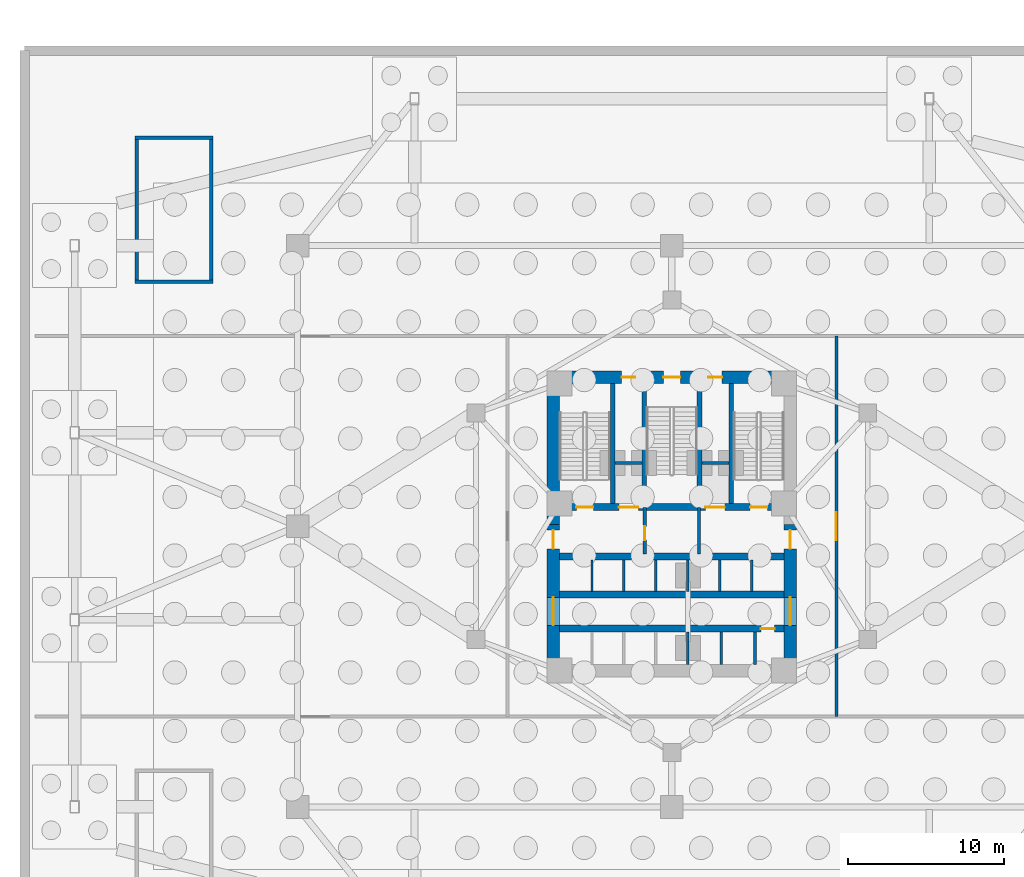
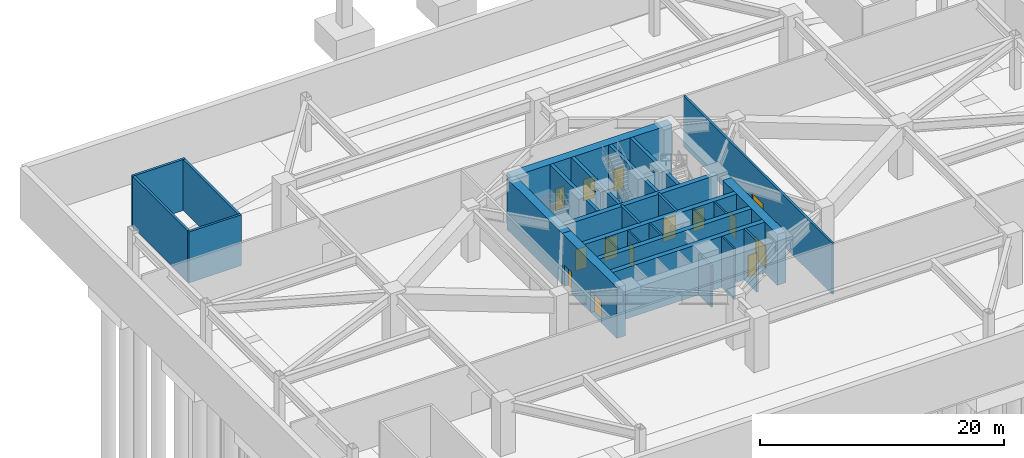
# One storey, part 5 of 8: 30 walls, 14 doors, 14 openings.
"""IFC4 building model written with IfcOpenShell, lengths in metres."""

from ifc_helpers import new_model, si_unit, direction, frame, frame_2d, origin, place, context, subcontext, project, spatial, rectangle, extrude, material, layer, layer_set, type_object, element, fill, save


model = new_model("IFC4")

# Units and contexts
model_context = context("Model", 3, precision=1e-05, world=origin(), true_north=direction((0.0, 1.0)))
body_context = subcontext(model_context, "Body", "Model", "MODEL_VIEW")
ifc_project = project(units=[si_unit("LENGTHUNIT", "METRE"), si_unit("AREAUNIT", "SQUARE_METRE"), si_unit("VOLUMEUNIT", "CUBIC_METRE"), si_unit("PLANEANGLEUNIT", "RADIAN"), si_unit("MASSUNIT", "GRAM", prefix="KILO")], contexts=[model_context])

# Site, building, storey
site_placement = place(None, origin())
site = spatial("IfcSite", under=ifc_project, at=site_placement, CompositionType="ELEMENT")
building_placement = place(site_placement, origin())
building = spatial("IfcBuilding", under=site, at=building_placement, Name="Apsidion Concourse Tower", CompositionType="ELEMENT")
storey_placement = place(building_placement, frame((0.0, 0.0, -5.39990234375)))
storey = spatial("IfcBuildingStorey", under=building, at=storey_placement, Name="B01", CompositionType="ELEMENT", Elevation=-5.39990234375)

# Walls
ifc_material_1 = material(Name="Gypsum plasterboard partition")
ifc_layer_1 = layer(ifc_material_1, 0.14990234375)
ifc_layer_set_1 = layer_set([ifc_layer_1], Name="Gypsum plasterboard partition")
wall_type_1 = type_object("IfcWallType", Name="WL-INT-PAR-150", PredefinedType="PARTITIONING", material=ifc_layer_set_1)
for number, where, z_axis, x_axis, name in (
    (1, (-5.125, -4.179931640625, 0.0), (0.0, 0.0, 1.0), (0.0, 1.0, 0.0), "B01 Interior Partition WL-B01-B1DIV-1"),
    (2, (-3.074951171875, -4.179931640625, 0.0), (0.0, 0.0, 1.0), (0.0, 1.0, 0.0), "B01 Interior Partition WL-B01-B1DIV-2"),
    (3, (-1.02490234375, -4.179931640625, 0.0), (0.0, 0.0, 1.0), (0.0, 1.0, 0.0), "B01 Interior Partition WL-B01-B1DIV-3"),
    (4, (3.074951171875, -4.179931640625, 0.0), (0.0, 0.0, 1.0), (0.0, 1.0, 0.0), "B01 Interior Partition WL-B01-B3DIV-1"),
    (5, (5.125, -4.179931640625, 0.0), (0.0, 0.0, 1.0), (0.0, 1.0, 0.0), "B01 Interior Partition WL-B01-B3DIV-2"),
):
    element("IfcWall", number, at=place(storey_placement, frame(where, z_axis=z_axis, x_axis=x_axis)), inside=storey, type_object=wall_type_1, Name=name, PredefinedType="PARTITIONING", context=body_context, shape_type="SweptSolid", body=[
        extrude(rectangle(XDim=2.030029296875, YDim=0.14990234375, at=frame_2d((1.01513671875, 0.0))), origin(), (0.0, 0.0, 1.0), 5.099853515625),
    ])
wall_1_placement = place(storey_placement, frame((3.175048828125, -8.85009765625, 0.0), z_axis=(0.0, 0.0, 1.0), x_axis=(0.0, 1.0, 0.0)))
element("IfcWall", 6, at=wall_1_placement, inside=storey, type_object=wall_type_1, Name="B01 Interior Partition WL-B01-SHDIV-1", PredefinedType="PARTITIONING", context=body_context, shape_type="SweptSolid", body=[
    extrude(rectangle(XDim=2.080078125, YDim=0.14990234375, at=frame_2d((1.0400390625, 0.0))), origin(), (0.0, 0.0, 1.0), 5.099853515625),
])
ifc_layer_2 = layer(ifc_material_1, 0.179931640625)
ifc_layer_set_2 = layer_set([ifc_layer_2], Name="Gypsum plasterboard partition")
wall_type_2 = type_object("IfcWallType", Name="WL-INT-PAR-180", PredefinedType="PARTITIONING", material=ifc_layer_set_2)
wall_2_placement = place(storey_placement, frame((1.02490234375, -4.179931640625, 0.0), z_axis=(0.0, 0.0, 1.0), x_axis=(0.0, 1.0, 0.0)))
element("IfcWall", 7, at=wall_2_placement, inside=storey, type_object=wall_type_2, Name="B01 Interior Partition WL-B01-B1END", PredefinedType="PARTITIONING", context=body_context, shape_type="SweptSolid", body=[
    extrude(rectangle(XDim=2.030029296875, YDim=0.179931640625, at=frame_2d((1.01513671875, 0.0))), origin(), (0.0, 0.0, 1.0), 4.14794921875),
])
wall_3_placement = place(storey_placement, frame((1.02490234375, -8.85009765625, 0.0), z_axis=(0.0, 0.0, 1.0), x_axis=(0.0, 1.0, 0.0)))
element("IfcWall", 8, at=wall_3_placement, inside=storey, type_object=wall_type_2, Name="B01 Interior Partition WL-B01-B2END", PredefinedType="PARTITIONING", context=body_context, shape_type="SweptSolid", body=[
    extrude(rectangle(XDim=2.080078125, YDim=0.179931640625, at=frame_2d((1.0400390625, 0.0))), origin(), (0.0, 0.0, 1.0), 4.14794921875),
])
wall_4_placement = place(storey_placement, frame((5.324951171875, -8.85009765625, 0.0), z_axis=(0.0, 0.0, 1.0), x_axis=(0.0, 1.0, 0.0)))
element("IfcWall", 9, at=wall_4_placement, inside=storey, type_object=wall_type_2, Name="B01 Interior Partition WL-B01-SHDIV-2", PredefinedType="PARTITIONING", context=body_context, shape_type="SweptSolid", body=[
    extrude(rectangle(XDim=2.080078125, YDim=0.179931640625, at=frame_2d((1.0400390625, 0.0))), origin(), (0.0, 0.0, 1.0), 5.099853515625),
])
ifc_layer_3 = layer(ifc_material_1, 0.199951171875)
ifc_layer_set_3 = layer_set([ifc_layer_3], Name="Gypsum plasterboard partition")
wall_type_3 = type_object("IfcWallType", Name="WL-INT-PAR-200", PredefinedType="PARTITIONING", material=ifc_layer_set_3)
for number, where, z_axis, x_axis, name in (
    (10, (-3.64990234375, 4.050048828125, 0.0), (0.0, 0.0, 1.0), (1.0, 0.0, 0.0), "B01 Interior Partition WL-B01-FF1-N"),
    (11, (1.919921875, 4.050048828125, 0.0), (0.0, 0.0, 1.0), (1.0, 0.0, 0.0), "B01 Interior Partition WL-B01-FF2-N"),
):
    element("IfcWall", number, at=place(storey_placement, frame(where, z_axis=z_axis, x_axis=x_axis)), inside=storey, type_object=wall_type_3, Name=name, PredefinedType="PARTITIONING", context=body_context, shape_type="SweptSolid", body=[
        extrude(rectangle(XDim=1.72998046875, YDim=0.199951171875, at=frame_2d((0.864990234375, 0.0))), origin(), (0.0, 0.0, 1.0), 5.099853515625),
    ])

# Wall, opening, door
wall_5_placement = place(storey_placement, frame((-1.739990234375, -1.780029296875, 0.0), z_axis=(0.0, 0.0, 1.0), x_axis=(0.0, 1.0, 0.0)))
wall_5 = element("IfcWall", 12, at=wall_5_placement, inside=storey, type_object=wall_type_3, Name="B01 Interior Partition WL-B01-FF1-E", PredefinedType="PARTITIONING", context=body_context, shape_type="SweptSolid", body=[
    extrude(rectangle(XDim=2.97998046875, YDim=0.199951171875, at=frame_2d((1.489990234375, 0.0))), origin(), (0.0, 0.0, 1.0), 5.099853515625),
])
opening_1_placement = place(wall_5_placement, frame((0.889892578125, 0.0, 0.0)))
opening_1 = element("IfcOpeningElement", 13, at=opening_1_placement, cuts=wall_5, Name="Opening D-05R", PredefinedType="OPENING", context=body_context, shape_type="SweptSolid", body=[
    extrude(rectangle(XDim=0.8798828125, YDim=2.14990234375, at=frame_2d((0.43994140625, 1.074951171875))), frame((0.0, 0.10986328125, 0.0), z_axis=(0.0, -1.0, 0.0), x_axis=(1.0, 0.0, 0.0)), (0.0, 0.0, 1.0), 0.219970703125),
])
ifc_material_2 = material(Name="Brushed stainless steel 316", Category="steel")
door_type_1 = type_object("IfcDoorType", Name="DR-INT-D05R", OperationType="SINGLE_SWING_RIGHT", PredefinedType="DOOR", material=ifc_material_2)
door_1_placement = place(opening_1_placement, origin())
door_1 = element("IfcDoor", 14, at=door_1_placement, inside=storey, type_object=door_type_1, Name="B01 Core BMS Door", OperationType="SINGLE_SWING_RIGHT", OverallHeight=2.14990234375, OverallWidth=0.8798828125, PredefinedType="DOOR", context=body_context, shape_type="SweptSolid", body=[
    extrude(rectangle(XDim=0.8798828125, YDim=2.14990234375, at=frame_2d((0.43994140625, 1.074951171875))), frame((0.0, 0.02490234375, 0.0), z_axis=(0.0, -1.0, 0.0), x_axis=(1.0, 0.0, 0.0)), (0.0, 0.0, 1.0), 0.050048828125),
])
fill(opening_1, door_1)

# Wall
wall_6_placement = place(storey_placement, frame((1.739990234375, -1.780029296875, 0.0), z_axis=(0.0, 0.0, 1.0), x_axis=(0.0, 1.0, 0.0)))
element("IfcWall", 15, at=wall_6_placement, inside=storey, type_object=wall_type_3, Name="B01 Interior Partition WL-B01-FF2-W", PredefinedType="PARTITIONING", context=body_context, shape_type="SweptSolid", body=[
    extrude(rectangle(XDim=2.97998046875, YDim=0.199951171875, at=frame_2d((1.489990234375, 0.0))), origin(), (0.0, 0.0, 1.0), 5.099853515625),
])

# Wall, opening, door
wall_7_placement = place(storey_placement, frame((10.550048828125, -12.199951171875, 0.0), z_axis=(0.0, 0.0, 1.0), x_axis=(0.0, 1.0, 0.0)))
wall_7 = element("IfcWall", 16, at=wall_7_placement, inside=storey, type_object=wall_type_3, Name="B01 Interior Partition WL-B01-E", PredefinedType="PARTITIONING", context=body_context, shape_type="SweptSolid", body=[
    extrude(rectangle(XDim=24.39990234375, YDim=0.199951171875, at=frame_2d((12.199951171875, 0.0))), origin(), (0.0, 0.0, 1.0), 5.099853515625),
])
opening_2_placement = place(wall_7_placement, frame((11.300048828125, 0.0, 0.0)))
opening_2 = element("IfcOpeningElement", 17, at=opening_2_placement, cuts=wall_7, Name="Opening D-06D", PredefinedType="OPENING", context=body_context, shape_type="SweptSolid", body=[
    extrude(rectangle(XDim=1.800048828125, YDim=2.199951171875, at=frame_2d((0.89990234375, 1.10009765625))), frame((0.0, 0.10986328125, 0.0), z_axis=(0.0, -1.0, 0.0), x_axis=(1.0, 0.0, 0.0)), (0.0, 0.0, 1.0), 0.219970703125),
])
door_type_2 = type_object("IfcDoorType", Name="DR-INT-D06D", OperationType="DOUBLE_DOOR_SINGLE_SWING", PredefinedType="DOOR", material=ifc_material_2)
door_2_placement = place(opening_2_placement, origin())
door_2 = element("IfcDoor", 18, at=door_2_placement, inside=storey, type_object=door_type_2, Name="B01 Plant Door WL-B01-E", OperationType="DOUBLE_DOOR_SINGLE_SWING", OverallHeight=2.199951171875, OverallWidth=1.800048828125, PredefinedType="DOOR", context=body_context, shape_type="SweptSolid", body=[
    extrude(rectangle(XDim=1.800048828125, YDim=2.199951171875, at=frame_2d((0.89990234375, 1.10009765625))), frame((0.0, 0.02490234375, 0.0), z_axis=(0.0, -1.0, 0.0), x_axis=(1.0, 0.0, 0.0)), (0.0, 0.0, 1.0), 0.050048828125),
])
fill(opening_2, door_2)

# Walls
ifc_material_3 = material(Name="Concrete C50/60", Category="concrete")
ifc_layer_4 = layer(ifc_material_3, 0.219970703125)
ifc_layer_set_4 = layer_set([ifc_layer_4], Name="Concrete C50/60")
wall_type_4 = type_object("IfcWallType", Name="WL-SH-220", PredefinedType="SHEAR", material=ifc_layer_set_4)
for number, where, z_axis, x_axis, name in (
    (19, (-34.419921875, 15.68994140625, 0.0), (0.0, 0.0, 1.0), (1.0, 0.0, 0.0), "B01 Podium Stair ST-P3 Core Shear Wall S"),
    (20, (-34.419921875, 24.909912109375, 0.0), (0.0, 0.0, 1.0), (1.0, 0.0, 0.0), "B01 Podium Stair ST-P3 Core Shear Wall N"),
):
    element("IfcWall", number, at=place(storey_placement, frame(where, z_axis=z_axis, x_axis=x_axis)), inside=storey, type_object=wall_type_4, Name=name, PredefinedType="SHEAR", context=body_context, shape_type="SweptSolid", body=[
        extrude(rectangle(XDim=4.989990234375, YDim=0.219970703125, at=frame_2d((2.4951171875, 0.0))), origin(), (0.0, 0.0, 1.0), 5.099853515625),
    ])
for number, where, z_axis, x_axis, name in (
    (21, (-34.31005859375, 15.800048828125, 0.0), (0.0, 0.0, 1.0), (0.0, 1.0, 0.0), "B01 Podium Stair ST-P3 Core Shear Wall W"),
    (22, (-29.5400390625, 15.800048828125, 0.0), (0.0, 0.0, 1.0), (0.0, 1.0, 0.0), "B01 Podium Stair ST-P3 Core Shear Wall E"),
):
    element("IfcWall", number, at=place(storey_placement, frame(where, z_axis=z_axis, x_axis=x_axis)), inside=storey, type_object=wall_type_4, Name=name, PredefinedType="SHEAR", context=body_context, shape_type="SweptSolid", body=[
        extrude(rectangle(XDim=9.0, YDim=0.219970703125, at=frame_2d((4.5, 0.0))), origin(), (0.0, 0.0, 1.0), 5.099853515625),
    ])
ifc_layer_5 = layer(ifc_material_3, 0.300048828125)
ifc_layer_set_5 = layer_set([ifc_layer_5], Name="Concrete C50/60")
wall_type_5 = type_object("IfcWallType", Name="WL-SH-300", PredefinedType="SHEAR", material=ifc_layer_set_5)
for number, where, z_axis, x_axis, name in (
    (23, (-3.800048828125, 1.449951171875, 0.0), (0.0, 0.0, 1.0), (0.0, 1.0, 0.0), "B01 Central Core Shear Wall V1"),
    (24, (-1.77490234375, 1.449951171875, 0.0), (0.0, 0.0, 1.0), (0.0, 1.0, 0.0), "B01 Central Core Shear Wall V2"),
    (25, (1.77490234375, 1.449951171875, 0.0), (0.0, 0.0, 1.0), (0.0, 1.0, 0.0), "B01 Central Core Shear Wall V3"),
    (26, (3.800048828125, 1.449951171875, 0.0), (0.0, 0.0, 1.0), (0.0, 1.0, 0.0), "B01 Central Core Shear Wall V4"),
):
    element("IfcWall", number, at=place(storey_placement, frame(where, z_axis=z_axis, x_axis=x_axis)), inside=storey, type_object=wall_type_5, Name=name, PredefinedType="SHEAR", context=body_context, shape_type="SweptSolid", body=[
        extrude(rectangle(XDim=7.699951171875, YDim=0.300048828125, at=frame_2d((3.85009765625, 0.0))), origin(), (0.0, 0.0, 1.0), 5.099853515625),
    ])

# Wall, openings, doors
ifc_material_4 = material(Name="Concrete C60/75", Category="concrete")
ifc_layer_6 = layer(ifc_material_4, 0.449951171875)
ifc_layer_set_6 = layer_set([ifc_layer_6], Name="Concrete C60/75")
wall_type_6 = type_object("IfcWallType", Name="WL-SH-450", PredefinedType="SHEAR", material=ifc_layer_set_6)
wall_8_placement = place(storey_placement, frame((-7.199951171875, 1.22509765625, 0.0), z_axis=(0.0, 0.0, 1.0), x_axis=(1.0, 0.0, 0.0)))
wall_8 = element("IfcWall", 27, at=wall_8_placement, inside=storey, type_object=wall_type_6, Name="B01 Central Core Shear Wall M1", PredefinedType="SHEAR", context=body_context, shape_type="SweptSolid", body=[
    extrude(rectangle(XDim=14.39990234375, YDim=0.449951171875, at=frame_2d((7.199951171875, 0.0))), origin(), (0.0, 0.0, 1.0), 5.099853515625),
])
opening_3_placement = place(wall_8_placement, frame((3.794921875, 0.0, 0.0)))
opening_3 = element("IfcOpeningElement", 28, at=opening_3_placement, cuts=wall_8, Name="Opening LD-FF", PredefinedType="OPENING", context=body_context, shape_type="SweptSolid", body=[
    extrude(rectangle(XDim=1.25, YDim=2.25, at=frame_2d((0.625, 1.125))), frame((0.0, 0.23486328125, 0.0), z_axis=(0.0, -1.0, 0.0), x_axis=(1.0, 0.0, 0.0)), (0.0, 0.0, 1.0), 0.469970703125),
])
opening_4_placement = place(wall_8_placement, frame((9.35498046875, 0.0, 0.0)))
opening_4 = element("IfcOpeningElement", 29, at=opening_4_placement, cuts=wall_8, Name="Opening LD-FF", PredefinedType="OPENING", context=body_context, shape_type="SweptSolid", body=[
    extrude(rectangle(XDim=1.25, YDim=2.25, at=frame_2d((0.625, 1.125))), frame((0.0, 0.23486328125, 0.0), z_axis=(0.0, -1.0, 0.0), x_axis=(1.0, 0.0, 0.0)), (0.0, 0.0, 1.0), 0.469970703125),
])
opening_5_placement = place(wall_8_placement, frame((1.074951171875, 0.0, 0.0)))
opening_5 = element("IfcOpeningElement", 30, at=opening_5_placement, cuts=wall_8, Name="Opening D-STL", PredefinedType="OPENING", context=body_context, shape_type="SweptSolid", body=[
    extrude(rectangle(XDim=1.10009765625, YDim=2.14990234375, at=frame_2d((0.550048828125, 1.074951171875))), frame((0.0, 0.23486328125, 0.0), z_axis=(0.0, -1.0, 0.0), x_axis=(1.0, 0.0, 0.0)), (0.0, 0.0, 1.0), 0.469970703125),
])
opening_6_placement = place(wall_8_placement, frame((12.22509765625, 0.0, 0.0)))
opening_6 = element("IfcOpeningElement", 31, at=opening_6_placement, cuts=wall_8, Name="Opening D-STR", PredefinedType="OPENING", context=body_context, shape_type="SweptSolid", body=[
    extrude(rectangle(XDim=1.10009765625, YDim=2.14990234375, at=frame_2d((0.550048828125, 1.074951171875))), frame((0.0, 0.23486328125, 0.0), z_axis=(0.0, -1.0, 0.0), x_axis=(1.0, 0.0, 0.0)), (0.0, 0.0, 1.0), 0.469970703125),
])
door_type_3 = type_object("IfcDoorType", Name="DR-INT-ST1L", OperationType="SINGLE_SWING_LEFT", PredefinedType="DOOR", material=ifc_material_2)
door_3_placement = place(opening_5_placement, origin())
door_3 = element("IfcDoor", 32, at=door_3_placement, inside=storey, type_object=door_type_3, Name="B01 Core Exit Stair ST1 Door", OperationType="SINGLE_SWING_LEFT", OverallHeight=2.14990234375, OverallWidth=1.10009765625, PredefinedType="DOOR", context=body_context, shape_type="SweptSolid", body=[
    extrude(rectangle(XDim=1.10009765625, YDim=2.14990234375, at=frame_2d((0.550048828125, 1.074951171875))), frame((0.0, 0.02490234375, 0.0), z_axis=(0.0, -1.0, 0.0), x_axis=(1.0, 0.0, 0.0)), (0.0, 0.0, 1.0), 0.050048828125),
])
fill(opening_5, door_3)
door_type_4 = type_object("IfcDoorType", Name="DR-INT-ST1R", OperationType="SINGLE_SWING_RIGHT", PredefinedType="DOOR", material=ifc_material_2)
door_4_placement = place(opening_6_placement, origin())
door_4 = element("IfcDoor", 33, at=door_4_placement, inside=storey, type_object=door_type_4, Name="B01 Core Exit Stair ST2 Door", OperationType="SINGLE_SWING_RIGHT", OverallHeight=2.14990234375, OverallWidth=1.10009765625, PredefinedType="DOOR", context=body_context, shape_type="SweptSolid", body=[
    extrude(rectangle(XDim=1.10009765625, YDim=2.14990234375, at=frame_2d((0.550048828125, 1.074951171875))), frame((0.0, 0.02490234375, 0.0), z_axis=(0.0, -1.0, 0.0), x_axis=(1.0, 0.0, 0.0)), (0.0, 0.0, 1.0), 0.050048828125),
])
fill(opening_6, door_4)
door_type_5 = type_object("IfcDoorType", Name="DR-LD-FSAE", OperationType="DOUBLE_DOOR_SLIDING", PredefinedType="DOOR", material=ifc_material_2)
door_5_placement = place(opening_3_placement, origin())
door_5 = element("IfcDoor", 34, at=door_5_placement, inside=storey, type_object=door_type_5, Name="B01 Lift Landing Door FF1", OperationType="DOUBLE_DOOR_SLIDING", OverallHeight=2.25, OverallWidth=1.25, PredefinedType="DOOR", context=body_context, shape_type="SweptSolid", body=[
    extrude(rectangle(XDim=1.25, YDim=2.25, at=frame_2d((0.625, 1.125))), frame((0.0, 0.02490234375, 0.0), z_axis=(0.0, -1.0, 0.0), x_axis=(1.0, 0.0, 0.0)), (0.0, 0.0, 1.0), 0.050048828125),
])
fill(opening_3, door_5)
door_6_placement = place(opening_4_placement, origin())
door_6 = element("IfcDoor", 35, at=door_6_placement, inside=storey, type_object=door_type_5, Name="B01 Lift Landing Door FF2", OperationType="DOUBLE_DOOR_SLIDING", OverallHeight=2.25, OverallWidth=1.25, PredefinedType="DOOR", context=body_context, shape_type="SweptSolid", body=[
    extrude(rectangle(XDim=1.25, YDim=2.25, at=frame_2d((0.625, 1.125))), frame((0.0, 0.02490234375, 0.0), z_axis=(0.0, -1.0, 0.0), x_axis=(1.0, 0.0, 0.0)), (0.0, 0.0, 1.0), 0.050048828125),
])
fill(opening_4, door_6)

# Walls
for number, where, z_axis, x_axis, name in (
    (36, (-7.199951171875, -1.949951171875, 0.0), (0.0, 0.0, 1.0), (1.0, 0.0, 0.0), "B01 Central Core Shear Wall M2"),
    (37, (-7.199951171875, -4.3798828125, 0.0), (0.0, 0.0, 1.0), (1.0, 0.0, 0.0), "B01 Central Core Shear Wall LA"),
):
    element("IfcWall", number, at=place(storey_placement, frame(where, z_axis=z_axis, x_axis=x_axis)), inside=storey, type_object=wall_type_6, Name=name, PredefinedType="SHEAR", context=body_context, shape_type="SweptSolid", body=[
        extrude(rectangle(XDim=14.39990234375, YDim=0.449951171875, at=frame_2d((7.199951171875, 0.0))), origin(), (0.0, 0.0, 1.0), 5.099853515625),
    ])

# Wall, opening, door
wall_9_placement = place(storey_placement, frame((-7.199951171875, -6.570068359375, 0.0), z_axis=(0.0, 0.0, 1.0), x_axis=(1.0, 0.0, 0.0)))
wall_9 = element("IfcWall", 38, at=wall_9_placement, inside=storey, type_object=wall_type_6, Name="B01 Central Core Shear Wall LB", PredefinedType="SHEAR", context=body_context, shape_type="SweptSolid", body=[
    extrude(rectangle(XDim=14.39990234375, YDim=0.449951171875, at=frame_2d((7.199951171875, 0.0))), origin(), (0.0, 0.0, 1.0), 5.099853515625),
])
opening_7_placement = place(wall_9_placement, frame((12.909912109375, 0.0, 0.0)))
opening_7 = element("IfcOpeningElement", 39, at=opening_7_placement, cuts=wall_9, Name="Opening D-05L", PredefinedType="OPENING", context=body_context, shape_type="SweptSolid", body=[
    extrude(rectangle(XDim=0.8798828125, YDim=2.14990234375, at=frame_2d((0.43994140625, 1.074951171875))), frame((0.0, 0.23486328125, 0.0), z_axis=(0.0, -1.0, 0.0), x_axis=(1.0, 0.0, 0.0)), (0.0, 0.0, 1.0), 0.469970703125),
])
door_type_6 = type_object("IfcDoorType", Name="DR-INT-D05L", OperationType="SINGLE_SWING_LEFT", PredefinedType="DOOR", material=ifc_material_2)
door_7_placement = place(opening_7_placement, origin())
door_7 = element("IfcDoor", 40, at=door_7_placement, inside=storey, type_object=door_type_6, Name="B01 Cleaners Store Door", OperationType="SINGLE_SWING_LEFT", OverallHeight=2.14990234375, OverallWidth=0.8798828125, PredefinedType="DOOR", context=body_context, shape_type="SweptSolid", body=[
    extrude(rectangle(XDim=0.8798828125, YDim=2.14990234375, at=frame_2d((0.43994140625, 1.074951171875))), frame((0.0, 0.02490234375, 0.0), z_axis=(0.0, -1.0, 0.0), x_axis=(1.0, 0.0, 0.0)), (0.0, 0.0, 1.0), 0.050048828125),
])
fill(opening_7, door_7)

# Wall, openings, doors
ifc_layer_7 = layer(ifc_material_4, 0.800048828125)
ifc_layer_set_7 = layer_set([ifc_layer_7], Name="Concrete C60/75")
wall_type_7 = type_object("IfcWallType", Name="WL-SH-800", PredefinedType="SHEAR", material=ifc_layer_set_7)
wall_10_placement = place(storey_placement, frame((-7.60009765625, 9.550048828125, 0.0), z_axis=(0.0, 0.0, 1.0), x_axis=(1.0, 0.0, 0.0)))
wall_10 = element("IfcWall", 41, at=wall_10_placement, inside=storey, type_object=wall_type_7, Name="B01 Central Core Shear Wall N", PredefinedType="SHEAR", context=body_context, shape_type="SweptSolid", body=[
    extrude(rectangle(XDim=15.2001953125, YDim=0.800048828125, at=frame_2d((7.60009765625, 0.0))), origin(), (0.0, 0.0, 1.0), 5.099853515625),
])
opening_8_placement = place(wall_10_placement, frame((7.050048828125, 0.0, 0.0)))
opening_8 = element("IfcOpeningElement", 42, at=opening_8_placement, cuts=wall_10, Name="Opening D-STL", PredefinedType="OPENING", context=body_context, shape_type="SweptSolid", body=[
    extrude(rectangle(XDim=1.10009765625, YDim=2.14990234375, at=frame_2d((0.550048828125, 1.074951171875))), frame((0.0, 0.41015625, 0.0), z_axis=(0.0, -1.0, 0.0), x_axis=(1.0, 0.0, 0.0)), (0.0, 0.0, 1.0), 0.820068359375),
])
opening_9_placement = place(wall_10_placement, frame((4.3798828125, 0.0, 0.0)))
opening_9 = element("IfcOpeningElement", 43, at=opening_9_placement, cuts=wall_10, Name="Opening D-05L", PredefinedType="OPENING", context=body_context, shape_type="SweptSolid", body=[
    extrude(rectangle(XDim=0.8798828125, YDim=2.14990234375, at=frame_2d((0.43994140625, 1.074951171875))), frame((0.0, 0.41015625, 0.0), z_axis=(0.0, -1.0, 0.0), x_axis=(1.0, 0.0, 0.0)), (0.0, 0.0, 1.0), 0.820068359375),
])
opening_10_placement = place(wall_10_placement, frame((9.93994140625, 0.0, 0.0)))
opening_10 = element("IfcOpeningElement", 44, at=opening_10_placement, cuts=wall_10, Name="Opening D-05R", PredefinedType="OPENING", context=body_context, shape_type="SweptSolid", body=[
    extrude(rectangle(XDim=0.8798828125, YDim=2.14990234375, at=frame_2d((0.43994140625, 1.074951171875))), frame((0.0, 0.41015625, 0.0), z_axis=(0.0, -1.0, 0.0), x_axis=(1.0, 0.0, 0.0)), (0.0, 0.0, 1.0), 0.820068359375),
])
door_8_placement = place(opening_9_placement, origin())
door_8 = element("IfcDoor", 45, at=door_8_placement, inside=storey, type_object=door_type_6, Name="B01 Electrical Riser Shaft Access Door", OperationType="SINGLE_SWING_LEFT", OverallHeight=2.14990234375, OverallWidth=0.8798828125, PredefinedType="DOOR", context=body_context, shape_type="SweptSolid", body=[
    extrude(rectangle(XDim=0.8798828125, YDim=2.14990234375, at=frame_2d((0.43994140625, 1.074951171875))), frame((0.0, 0.02490234375, 0.0), z_axis=(0.0, -1.0, 0.0), x_axis=(1.0, 0.0, 0.0)), (0.0, 0.0, 1.0), 0.050048828125),
])
fill(opening_9, door_8)
door_9_placement = place(opening_10_placement, origin())
door_9 = element("IfcDoor", 46, at=door_9_placement, inside=storey, type_object=door_type_1, Name="B01 Mechanical Riser Shaft Access Door", OperationType="SINGLE_SWING_RIGHT", OverallHeight=2.14990234375, OverallWidth=0.8798828125, PredefinedType="DOOR", context=body_context, shape_type="SweptSolid", body=[
    extrude(rectangle(XDim=0.8798828125, YDim=2.14990234375, at=frame_2d((0.43994140625, 1.074951171875))), frame((0.0, 0.02490234375, 0.0), z_axis=(0.0, -1.0, 0.0), x_axis=(1.0, 0.0, 0.0)), (0.0, 0.0, 1.0), 0.050048828125),
])
fill(opening_10, door_9)
door_10_placement = place(opening_8_placement, origin())
door_10 = element("IfcDoor", 47, at=door_10_placement, inside=storey, type_object=door_type_3, Name="B01 Core Exit Stair ST3 Door", OperationType="SINGLE_SWING_LEFT", OverallHeight=2.14990234375, OverallWidth=1.10009765625, PredefinedType="DOOR", context=body_context, shape_type="SweptSolid", body=[
    extrude(rectangle(XDim=1.10009765625, YDim=2.14990234375, at=frame_2d((0.550048828125, 1.074951171875))), frame((0.0, 0.02490234375, 0.0), z_axis=(0.0, -1.0, 0.0), x_axis=(1.0, 0.0, 0.0)), (0.0, 0.0, 1.0), 0.050048828125),
])
fill(opening_8, door_10)

# Wall
wall_11_placement = place(storey_placement, frame((-7.60009765625, 0.10009765625, 0.0), z_axis=(0.0, 0.0, 1.0), x_axis=(0.0, 1.0, 0.0)))
element("IfcWall", 48, at=wall_11_placement, inside=storey, type_object=wall_type_7, Name="B01 Central Core Shear Wall WN", PredefinedType="SHEAR", context=body_context, shape_type="SweptSolid", body=[
    extrude(rectangle(XDim=9.0498046875, YDim=0.800048828125, at=frame_2d((4.52490234375, 0.0))), origin(), (0.0, 0.0, 1.0), 5.099853515625),
])

# Wall, openings, doors
wall_12_placement = place(storey_placement, frame((-7.60009765625, -8.85009765625, 0.0), z_axis=(0.0, 0.0, 1.0), x_axis=(0.0, 1.0, 0.0)))
wall_12 = element("IfcWall", 49, at=wall_12_placement, inside=storey, type_object=wall_type_7, Name="B01 Central Core Shear Wall WS", PredefinedType="SHEAR", context=body_context, shape_type="SweptSolid", body=[
    extrude(rectangle(XDim=8.9501953125, YDim=0.800048828125, at=frame_2d((4.47509765625, 0.0))), origin(), (0.0, 0.0, 1.0), 5.099853515625),
])
opening_11_placement = place(wall_12_placement, frame((2.489990234375, 0.0, 0.0)))
opening_11 = element("IfcOpeningElement", 50, at=opening_11_placement, cuts=wall_12, Name="Opening D-06D", PredefinedType="OPENING", context=body_context, shape_type="SweptSolid", body=[
    extrude(rectangle(XDim=1.800048828125, YDim=2.199951171875, at=frame_2d((0.89990234375, 1.10009765625))), frame((0.0, 0.41015625, 0.0), z_axis=(0.0, -1.0, 0.0), x_axis=(1.0, 0.0, 0.0)), (0.0, 0.0, 1.0), 0.820068359375),
])
opening_12_placement = place(wall_12_placement, frame((7.39990234375, 0.0, 0.0)))
opening_12 = element("IfcOpeningElement", 51, at=opening_12_placement, cuts=wall_12, Name="Opening D-FFL", PredefinedType="OPENING", context=body_context, shape_type="SweptSolid", body=[
    extrude(rectangle(XDim=1.199951171875, YDim=2.14990234375, at=frame_2d((0.60009765625, 1.074951171875))), frame((0.0, 0.41015625, 0.0), z_axis=(0.0, -1.0, 0.0), x_axis=(1.0, 0.0, 0.0)), (0.0, 0.0, 1.0), 0.820068359375),
])
door_11_placement = place(opening_11_placement, origin())
door_11 = element("IfcDoor", 52, at=door_11_placement, inside=storey, type_object=door_type_2, Name="B01 Passenger Lift Lobby WS Portal Door", OperationType="DOUBLE_DOOR_SINGLE_SWING", OverallHeight=2.199951171875, OverallWidth=1.800048828125, PredefinedType="DOOR", context=body_context, shape_type="SweptSolid", body=[
    extrude(rectangle(XDim=1.800048828125, YDim=2.199951171875, at=frame_2d((0.89990234375, 1.10009765625))), frame((0.0, 0.02490234375, 0.0), z_axis=(0.0, -1.0, 0.0), x_axis=(1.0, 0.0, 0.0)), (0.0, 0.0, 1.0), 0.050048828125),
])
fill(opening_11, door_11)
door_type_7 = type_object("IfcDoorType", Name="DR-INT-FFL", OperationType="SINGLE_SWING_LEFT", PredefinedType="DOOR", material=ifc_material_2)
door_12_placement = place(opening_12_placement, origin())
door_12 = element("IfcDoor", 53, at=door_12_placement, inside=storey, type_object=door_type_7, Name="B01 Firefighting Lift Lobby FF1 Door", OperationType="SINGLE_SWING_LEFT", OverallHeight=2.14990234375, OverallWidth=1.199951171875, PredefinedType="DOOR", context=body_context, shape_type="SweptSolid", body=[
    extrude(rectangle(XDim=1.199951171875, YDim=2.14990234375, at=frame_2d((0.60009765625, 1.074951171875))), frame((0.0, 0.02490234375, 0.0), z_axis=(0.0, -1.0, 0.0), x_axis=(1.0, 0.0, 0.0)), (0.0, 0.0, 1.0), 0.050048828125),
])
fill(opening_12, door_12)

wall_13_placement = place(storey_placement, frame((7.60009765625, -8.85009765625, 0.0), z_axis=(0.0, 0.0, 1.0), x_axis=(0.0, 1.0, 0.0)))
wall_13 = element("IfcWall", 54, at=wall_13_placement, inside=storey, type_object=wall_type_7, Name="B01 Central Core Shear Wall ES", PredefinedType="SHEAR", context=body_context, shape_type="SweptSolid", body=[
    extrude(rectangle(XDim=8.9501953125, YDim=0.800048828125, at=frame_2d((4.47509765625, 0.0))), origin(), (0.0, 0.0, 1.0), 5.099853515625),
])
opening_13_placement = place(wall_13_placement, frame((2.489990234375, 0.0, 0.0)))
opening_13 = element("IfcOpeningElement", 55, at=opening_13_placement, cuts=wall_13, Name="Opening D-06D", PredefinedType="OPENING", context=body_context, shape_type="SweptSolid", body=[
    extrude(rectangle(XDim=1.800048828125, YDim=2.199951171875, at=frame_2d((0.89990234375, 1.10009765625))), frame((0.0, 0.41015625, 0.0), z_axis=(0.0, -1.0, 0.0), x_axis=(1.0, 0.0, 0.0)), (0.0, 0.0, 1.0), 0.820068359375),
])
opening_14_placement = place(wall_13_placement, frame((7.39990234375, 0.0, 0.0)))
opening_14 = element("IfcOpeningElement", 56, at=opening_14_placement, cuts=wall_13, Name="Opening D-FFR", PredefinedType="OPENING", context=body_context, shape_type="SweptSolid", body=[
    extrude(rectangle(XDim=1.199951171875, YDim=2.14990234375, at=frame_2d((0.60009765625, 1.074951171875))), frame((0.0, 0.41015625, 0.0), z_axis=(0.0, -1.0, 0.0), x_axis=(1.0, 0.0, 0.0)), (0.0, 0.0, 1.0), 0.820068359375),
])
door_13_placement = place(opening_13_placement, origin())
door_13 = element("IfcDoor", 57, at=door_13_placement, inside=storey, type_object=door_type_2, Name="B01 Passenger Lift Lobby ES Portal Door", OperationType="DOUBLE_DOOR_SINGLE_SWING", OverallHeight=2.199951171875, OverallWidth=1.800048828125, PredefinedType="DOOR", context=body_context, shape_type="SweptSolid", body=[
    extrude(rectangle(XDim=1.800048828125, YDim=2.199951171875, at=frame_2d((0.89990234375, 1.10009765625))), frame((0.0, 0.02490234375, 0.0), z_axis=(0.0, -1.0, 0.0), x_axis=(1.0, 0.0, 0.0)), (0.0, 0.0, 1.0), 0.050048828125),
])
fill(opening_13, door_13)
door_type_8 = type_object("IfcDoorType", Name="DR-INT-FFR", OperationType="SINGLE_SWING_RIGHT", PredefinedType="DOOR", material=ifc_material_2)
door_14_placement = place(opening_14_placement, origin())
door_14 = element("IfcDoor", 58, at=door_14_placement, inside=storey, type_object=door_type_8, Name="B01 Firefighting Lift Lobby FF2 Door", OperationType="SINGLE_SWING_RIGHT", OverallHeight=2.14990234375, OverallWidth=1.199951171875, PredefinedType="DOOR", context=body_context, shape_type="SweptSolid", body=[
    extrude(rectangle(XDim=1.199951171875, YDim=2.14990234375, at=frame_2d((0.60009765625, 1.074951171875))), frame((0.0, 0.02490234375, 0.0), z_axis=(0.0, -1.0, 0.0), x_axis=(1.0, 0.0, 0.0)), (0.0, 0.0, 1.0), 0.050048828125),
])
fill(opening_14, door_14)

save(model, "model.ifc")
